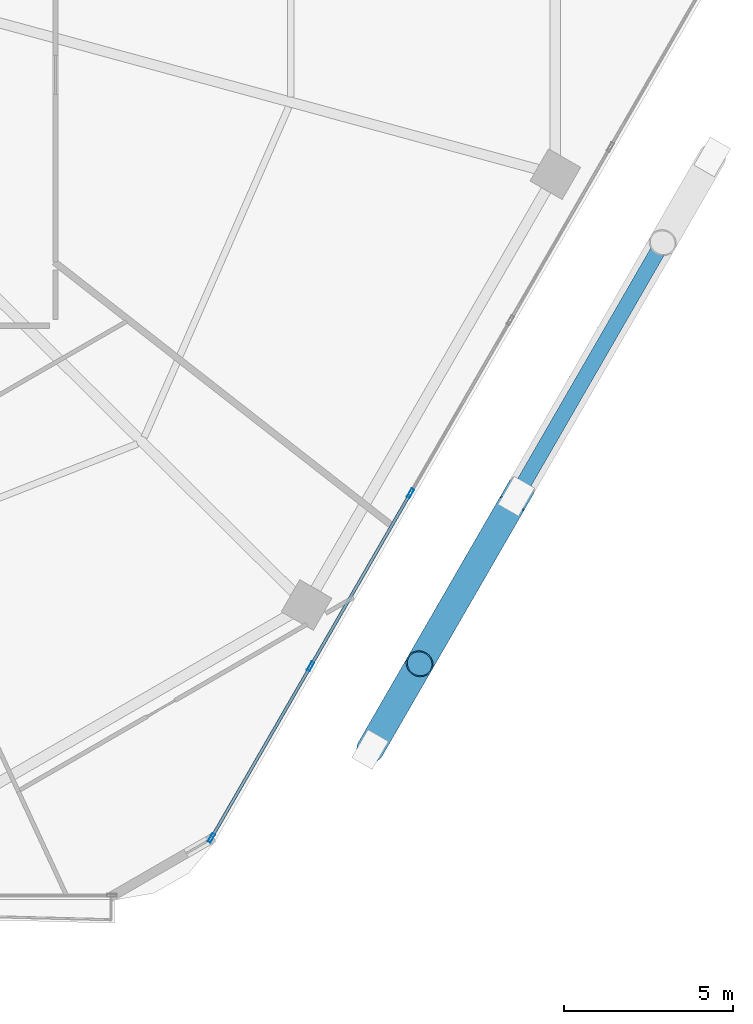
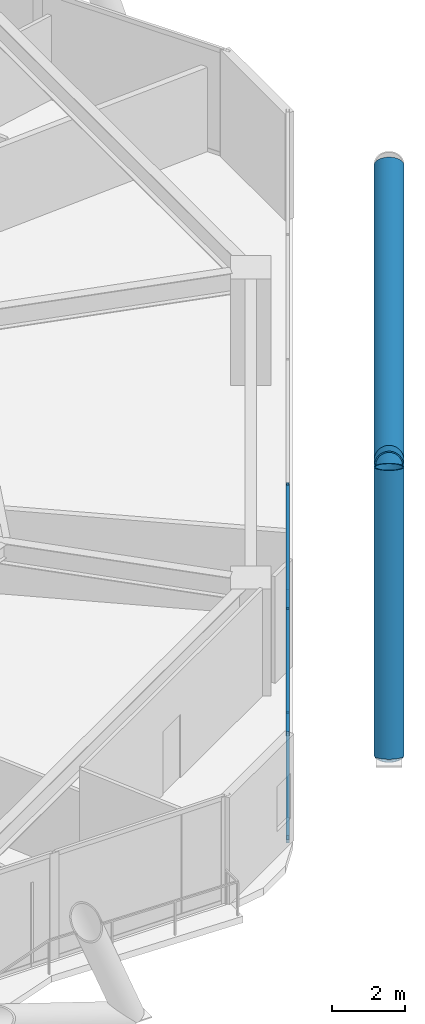
# One storey, part 10 of 35: 11 members, 1 element without a shape of its own.
"""IFC4 building model written with IfcOpenShell, lengths in metres."""

from ifc_helpers import new_model, si_unit, direction, frame, origin, origin_2d, place, context, subcontext, project, spatial, hollow_rectangle, hollow_circle, extrude, material, material_profile, profile_set, type_object, element, aggregate, save


model = new_model("IFC4")

# Units and contexts
model_context = context("Model", 3, precision=1e-05, world=origin(), true_north=direction((0.0, 1.0)))
body_context = subcontext(model_context, "Body", "Model", "MODEL_VIEW")
ifc_project = project(units=[si_unit("LENGTHUNIT", "METRE"), si_unit("AREAUNIT", "SQUARE_METRE"), si_unit("VOLUMEUNIT", "CUBIC_METRE"), si_unit("PLANEANGLEUNIT", "RADIAN"), si_unit("MASSUNIT", "GRAM", prefix="KILO")], contexts=[model_context])

# Site, building, storey
site_placement = place(None, origin())
site = spatial("IfcSite", under=ifc_project, at=site_placement, CompositionType="ELEMENT")
building_placement = place(site_placement, origin())
building = spatial("IfcBuilding", under=site, at=building_placement, Name="Zuhravey Tower", CompositionType="ELEMENT")
storey_placement = place(building_placement, frame((0.0, 0.0, 92.39990234375)))
storey = spatial("IfcBuildingStorey", under=building, at=storey_placement, Name="L22", CompositionType="ELEMENT", Elevation=92.39990234375)

# Curtain wall, members
ifc_material_1 = material(Name="Thermally broken anodised aluminium", Category="aluminium")
curtain_wall_type = type_object("IfcCurtainWallType", Name="Zone 1-2 Residential Curtain Wall CW3", PredefinedType="NOTDEFINED", material=ifc_material_1)
curtain_wall_placement = place(storey_placement, origin())
curtain_wall = element("IfcCurtainWall", 1, at=curtain_wall_placement, inside=storey, type_object=curtain_wall_type, Name="L22 CW3 CW-L22-F6-1", PredefinedType="NOTDEFINED")
ifc_material_2 = material(Name="Anodised aluminium", Category="aluminium")
ifc_material_profile_1 = material_profile(ifc_material_2, hollow_rectangle(XDim=0.090087890625, YDim=0.284912109375, WallThickness=0.0048828125, at=origin_2d()), Name="ALU-RHS-90x285x5")
ifc_profile_set_1 = profile_set([ifc_material_profile_1], Name="Anodised aluminium")
member_type_1 = type_object("IfcMemberType", Name="Curtain-Wall Mullion 90x180", PredefinedType="MULLION", material=ifc_profile_set_1)
member_1_placement = place(storey_placement, frame((59.598876953125, 14.95751953125, 0.0), z_axis=(0.0, 0.0, 1.0), x_axis=(0.86602552265, -0.499999794119, 0.0)))
member_1 = element("IfcMember", 2, at=member_1_placement, type_object=member_type_1, Name="CW3 mullion 4", PredefinedType="MULLION", context=body_context, shape_type="SweptSolid", body=[
    extrude(hollow_rectangle(XDim=0.090087890625, YDim=0.284912109375, WallThickness=0.0048828125, at=origin_2d()), origin(), (0.0, 0.0, 1.0), 3.550048828125),
])
member_2_placement = place(storey_placement, frame((56.638916015625, 9.830810546875, 0.0), z_axis=(0.0, 0.0, 1.0), x_axis=(0.86602552265, -0.499999794119, 0.0)))
member_2 = element("IfcMember", 3, at=member_2_placement, type_object=member_type_1, Name="CW3 mullion 5", PredefinedType="MULLION", context=body_context, shape_type="SweptSolid", body=[
    extrude(hollow_rectangle(XDim=0.090087890625, YDim=0.284912109375, WallThickness=0.0048828125, at=origin_2d()), origin(), (0.0, 0.0, 1.0), 3.550048828125),
])
member_3_placement = place(storey_placement, frame((53.701416015625, 4.742919921875, 0.0), z_axis=(0.0, 0.0, 1.0), x_axis=(0.86602552265, -0.499999794119, 0.0)))
member_3 = element("IfcMember", 4, at=member_3_placement, type_object=member_type_1, Name="CW3 mullion 6", PredefinedType="MULLION", context=body_context, shape_type="SweptSolid", body=[
    extrude(hollow_rectangle(XDim=0.090087890625, YDim=0.284912109375, WallThickness=0.0048828125, at=origin_2d()), origin(), (0.0, 0.0, 1.0), 3.550048828125),
])
ifc_material_profile_2 = material_profile(ifc_material_2, hollow_rectangle(XDim=0.090087890625, YDim=0.14990234375, WallThickness=0.0048828125, at=origin_2d()), Name="ALU-RHS-90x150x5")
ifc_profile_set_2 = profile_set([ifc_material_profile_2], Name="Anodised aluminium")
member_type_2 = type_object("IfcMemberType", Name="Curtain-Wall Transom 90x150", PredefinedType="USERDEFINED", material=ifc_profile_set_2)
member_4_placement = place(storey_placement, frame((59.576416015625, 14.91845703125, 0.045166015625), z_axis=(-0.500012451049, -0.866018215049, 0.0), x_axis=(0.866018215049, -0.500012451049, 0.0)))
member_4 = element("IfcMember", 5, at=member_4_placement, type_object=member_type_2, Name="CW3 transom 4.1", ObjectType="TRANSOM", PredefinedType="USERDEFINED", context=body_context, shape_type="SweptSolid", body=[
    extrude(hollow_rectangle(XDim=0.090087890625, YDim=0.14990234375, WallThickness=0.0048828125, at=origin_2d()), origin(), (0.0, 0.0, 1.0), 5.829833984375),
])
member_5_placement = place(storey_placement, frame((59.576416015625, 14.91845703125, 3.505126953125), z_axis=(-0.500012451049, -0.866018215049, 0.0), x_axis=(0.866018215049, -0.500012451049, 0.0)))
member_5 = element("IfcMember", 6, at=member_5_placement, type_object=member_type_2, Name="CW3 transom 4.2", ObjectType="TRANSOM", PredefinedType="USERDEFINED", context=body_context, shape_type="SweptSolid", body=[
    extrude(hollow_rectangle(XDim=0.090087890625, YDim=0.14990234375, WallThickness=0.0048828125, at=origin_2d()), origin(), (0.0, 0.0, 1.0), 5.829833984375),
])
member_6_placement = place(storey_placement, frame((56.616455078125, 9.791748046875, 0.045166015625), z_axis=(-0.499992798144, -0.866029561738, 0.0), x_axis=(0.866029561738, -0.499992798144, 0.0)))
member_6 = element("IfcMember", 7, at=member_6_placement, type_object=member_type_2, Name="CW3 transom 5.1", ObjectType="TRANSOM", PredefinedType="USERDEFINED", context=body_context, shape_type="SweptSolid", body=[
    extrude(hollow_rectangle(XDim=0.090087890625, YDim=0.14990234375, WallThickness=0.0048828125, at=origin_2d()), origin(), (0.0, 0.0, 1.0), 5.78466796875),
])
member_7_placement = place(storey_placement, frame((56.616455078125, 9.791748046875, 3.505126953125), z_axis=(-0.499992798144, -0.866029561738, 0.0), x_axis=(0.866029561738, -0.499992798144, 0.0)))
member_7 = element("IfcMember", 8, at=member_7_placement, type_object=member_type_2, Name="CW3 transom 5.2", ObjectType="TRANSOM", PredefinedType="USERDEFINED", context=body_context, shape_type="SweptSolid", body=[
    extrude(hollow_rectangle(XDim=0.090087890625, YDim=0.14990234375, WallThickness=0.0048828125, at=origin_2d()), origin(), (0.0, 0.0, 1.0), 5.78466796875),
])
aggregate(curtain_wall, [member_1, member_2, member_3, member_4, member_5, member_6, member_7])

# Members
ifc_material_3 = material(Name="Steel SM355", Category="steel")
ifc_material_profile_3 = material_profile(ifc_material_3, hollow_circle(Radius=0.228515625, WallThickness=0.02197265625, at=origin_2d()), Name="CHS-457.2x22")
ifc_profile_set_3 = profile_set([ifc_material_profile_3], Name="Steel SM355")
member_type_3 = type_object("IfcMemberType", Name="Exoskeleton Ring Tie CHS457x22", PredefinedType="CHORD", material=ifc_profile_set_3)
member_8_placement = place(storey_placement, frame((58.470703125, 7.483154296875, -0.4638671875), z_axis=(0.499987058157, 0.866032875632, 0.0), x_axis=(-0.866032875632, 0.499987058157, 0.0)))
element("IfcMember", 9, at=member_8_placement, inside=storey, type_object=member_type_3, Name="L22 Exoskeleton Face 6 Tie EXR1", PredefinedType="CHORD", context=body_context, shape_type="SweptSolid", body=[
    extrude(hollow_circle(Radius=0.228515625, WallThickness=0.02197265625, at=origin_2d()), origin(), (0.0, 0.0, 1.0), 19.99365234375),
])
ifc_material_4 = material(Name="Steel SM460", Category="steel")
ifc_material_profile_4 = material_profile(ifc_material_4, hollow_circle(Radius=0.406494140625, WallThickness=0.035888671875, at=origin_2d()), Name="CHS-812.8x36")
ifc_profile_set_4 = profile_set([ifc_material_profile_4], Name="Steel SM460")
member_type_4 = type_object("IfcMemberType", Name="Exoskeleton Zone 1 Diagrid CHS813x36", PredefinedType="BRACE", material=ifc_profile_set_4)
member_9_placement = place(storey_placement, frame((58.40478515625, 7.369384765625, -0.44189453125), z_axis=(0.180574288521, 0.312728273078, 0.932520216158), x_axis=(-0.866000778371, 0.500042650041, 0.0)))
element("IfcMember", 10, at=member_9_placement, inside=storey, type_object=member_type_4, Name="L22 Face 6 Diagrid Brace 1", PredefinedType="BRACE", context=body_context, shape_type="SweptSolid", body=[
    extrude(hollow_circle(Radius=0.406494140625, WallThickness=0.035888671875, at=origin_2d()), origin(), (0.0, 0.0, 1.0), 8.102783203125),
])
member_10_placement = place(storey_placement, frame((58.42578125, 7.405517578125, -0.44189453125), z_axis=(0.457899571463, 0.793119897067, 0.401607782957), x_axis=(-0.866029382339, 0.499993108878, 0.0)))
element("IfcMember", 11, at=member_10_placement, inside=storey, type_object=member_type_4, Name="L22 Face 6 Diagrid Brace 2", PredefinedType="BRACE", context=body_context, shape_type="SweptSolid", body=[
    extrude(hollow_circle(Radius=0.406494140625, WallThickness=0.035888671875, at=origin_2d()), origin(), (0.0, 0.0, 1.0), 18.814208984375),
])
member_11_placement = place(storey_placement, frame((62.568115234375, 14.580322265625, 3.555419921875), z_axis=(-0.416513083029, -0.721451330682, 0.553195109453), x_axis=(0.866034259299, -0.499984661485, 0.0)))
element("IfcMember", 12, at=member_11_placement, inside=storey, type_object=member_type_4, Name="L22 Face 6 Split Diagrid Brace 3B", PredefinedType="BRACE", context=body_context, shape_type="SweptSolid", body=[
    extrude(hollow_circle(Radius=0.406494140625, WallThickness=0.035888671875, at=origin_2d()), origin(), (0.0, 0.0, 1.0), 6.417724609375),
])

save(model, "model.ifc")
